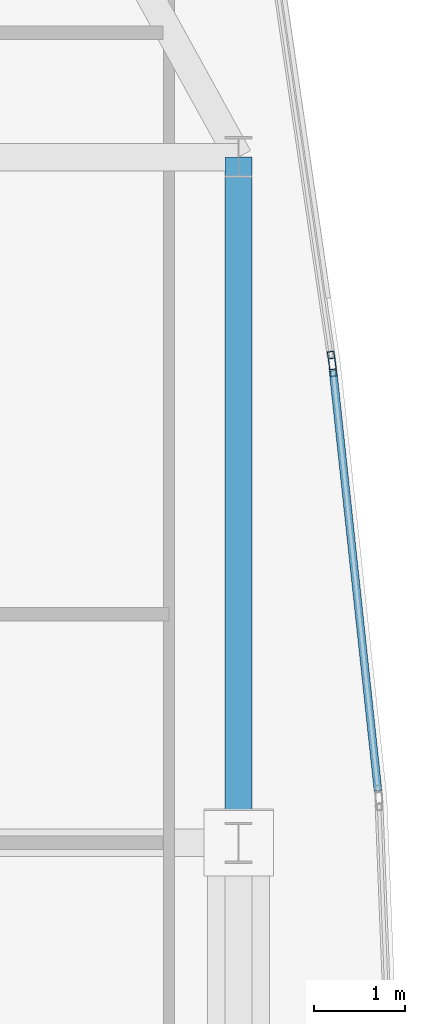
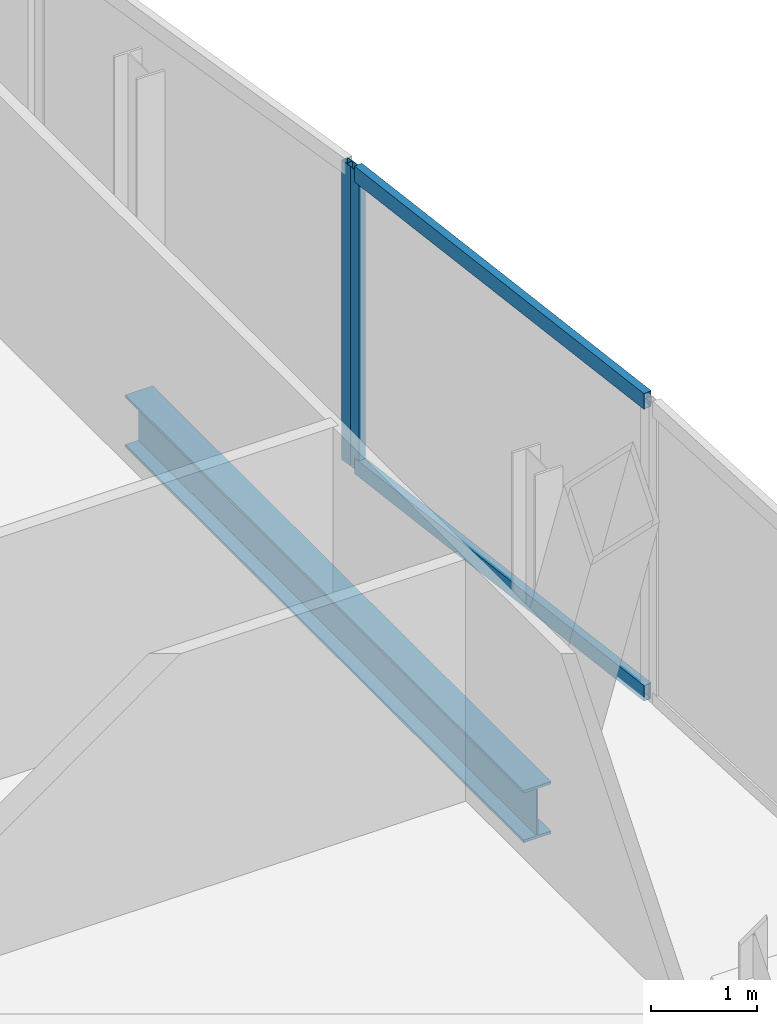
# One storey, part 20 of 31: 4 members, 1 beam, 2 elements without a shape of their own.
"""IFC4 building model written with IfcOpenShell, lengths in metres."""

from ifc_helpers import new_model, si_unit, direction, frame, origin, origin_2d, place, context, subcontext, project, spatial, hollow_rectangle, i_section, extrude, material, material_profile, profile_set, type_object, element, aggregate, save


model = new_model("IFC4")

# Units and contexts
model_context = context("Model", 3, precision=1e-05, world=origin(), true_north=direction((0.0, 1.0)))
body_context = subcontext(model_context, "Body", "Model", "MODEL_VIEW")
ifc_project = project(units=[si_unit("LENGTHUNIT", "METRE"), si_unit("AREAUNIT", "SQUARE_METRE"), si_unit("VOLUMEUNIT", "CUBIC_METRE"), si_unit("PLANEANGLEUNIT", "RADIAN"), si_unit("MASSUNIT", "GRAM", prefix="KILO")], contexts=[model_context])

# Site, building, storey
site_placement = place(None, origin())
site = spatial("IfcSite", under=ifc_project, at=site_placement, CompositionType="ELEMENT")
building_placement = place(site_placement, origin())
building = spatial("IfcBuilding", under=site, at=building_placement, Name="Khoronbel Lancet Exchange", CompositionType="ELEMENT")
storey_placement = place(building_placement, frame((0.0, 0.0, 249.800048828125)))
storey = spatial("IfcBuildingStorey", under=building, at=storey_placement, Name="L64", CompositionType="ELEMENT", Elevation=249.800048828125)

# Beam
ifc_material_1 = material(Name="Steel S355", Category="steel")
ifc_material_profile_1 = material_profile(ifc_material_1, i_section(OverallWidth=0.300048828125, OverallDepth=0.60009765625, WebThickness=0.015380859375, FlangeThickness=0.030029296875, at=origin_2d()), Name="HEB 600")
ifc_profile_set_1 = profile_set([ifc_material_profile_1], Name="Steel S355")
beam_type = type_object("IfcBeamType", Name="BM-BSP2", PredefinedType="SPANDREL", material=ifc_profile_set_1)
beam_placement = place(storey_placement, frame((63.6298828125, 35.699951171875, -0.4599609375), z_axis=(0.0, 1.0, 0.0), x_axis=(-1.0, 0.0, 0.0)))
element("IfcBeam", 1, at=beam_placement, inside=storey, type_object=beam_type, Name="Level L64 perimeter spandrel beam SP14", PredefinedType="SPANDREL", context=body_context, shape_type="SweptSolid", body=[
    extrude(i_section(OverallWidth=0.300048828125, OverallDepth=0.60009765625, WebThickness=0.015380859375, FlangeThickness=0.030029296875, at=origin_2d()), origin(), (0.0, 0.0, 1.0), 7.5),
])

# Curtain wall, member
ifc_material_2 = material(Name="Low-E Solar Control Insulating Glass", Category="glass")
curtain_wall_type = type_object("IfcCurtainWallType", Name="CW-4", PredefinedType="NOTDEFINED", material=ifc_material_2)
curtain_wall_1_placement = place(storey_placement, origin())
curtain_wall_1 = element("IfcCurtainWall", 2, at=curtain_wall_1_placement, inside=storey, type_object=curtain_wall_type, Name="Unitised curtain wall CW-L64-E17", PredefinedType="NOTDEFINED")
ifc_material_3 = material(Name="Bronze-Anodised Aluminium 6063-T6", Category="aluminium")
ifc_material_profile_2 = material_profile(ifc_material_3, hollow_rectangle(XDim=0.074951171875, YDim=0.199951171875, WallThickness=0.0048828125, at=origin_2d()), Name="ALU MULLION 75x200")
ifc_profile_set_2 = profile_set([ifc_material_profile_2], Name="Bronze-Anodised Aluminium 6063-T6")
member_type_1 = type_object("IfcMemberType", Name="MEM-CWM2", PredefinedType="MULLION", material=ifc_profile_set_2)
member_1_placement = place(storey_placement, frame((64.650146484375, 40.975830078125, 0.0), z_axis=(0.0, 0.0, 1.0), x_axis=(0.989467753264, 0.144753463694, 0.0)))
member_1 = element("IfcMember", 3, at=member_1_placement, type_object=member_type_1, Name="CW4 mullion 2", PredefinedType="MULLION", context=body_context, shape_type="SweptSolid", body=[
    extrude(hollow_rectangle(XDim=0.074951171875, YDim=0.199951171875, WallThickness=0.0048828125, at=origin_2d()), origin(), (0.0, 0.0, 1.0), 3.43994140625),
])
aggregate(curtain_wall_1, [member_1])

# Curtain wall, members
curtain_wall_2_placement = place(storey_placement, origin())
curtain_wall_2 = element("IfcCurtainWall", 4, at=curtain_wall_2_placement, inside=storey, type_object=curtain_wall_type, Name="Unitised curtain wall CW-L64-E18", PredefinedType="NOTDEFINED")
member_2_placement = place(storey_placement, frame((64.65966796875, 40.9013671875, 0.0), z_axis=(0.0, 0.0, 1.0), x_axis=(0.994311928022, 0.106507228834, 0.0)))
member_2 = element("IfcMember", 5, at=member_2_placement, type_object=member_type_1, Name="CW4 mullion 1", PredefinedType="MULLION", context=body_context, shape_type="SweptSolid", body=[
    extrude(hollow_rectangle(XDim=0.074951171875, YDim=0.199951171875, WallThickness=0.0048828125, at=origin_2d()), origin(), (0.0, 0.0, 1.0), 3.43994140625),
])
ifc_material_profile_3 = material_profile(ifc_material_3, hollow_rectangle(XDim=0.0849609375, YDim=0.179931640625, WallThickness=0.0048828125, at=origin_2d()), Name="ALU TRANSOM 85x180")
ifc_profile_set_3 = profile_set([ifc_material_profile_3], Name="Bronze-Anodised Aluminium 6063-T6")
member_type_2 = type_object("IfcMemberType", Name="MEM-CWT1", PredefinedType="USERDEFINED", material=ifc_profile_set_3)
member_3_placement = place(storey_placement, frame((64.66357421875, 40.864013671875, 0.04248046875), z_axis=(0.106534988601, -0.9943089541, 0.0), x_axis=(0.9943089541, 0.106534988601, 0.0)))
member_3 = element("IfcMember", 6, at=member_3_placement, type_object=member_type_2, Name="CW4 transom 1.1", ObjectType="TRANSOM", PredefinedType="USERDEFINED", context=body_context, shape_type="SweptSolid", body=[
    extrude(hollow_rectangle(XDim=0.0849609375, YDim=0.179931640625, WallThickness=0.0048828125, at=origin_2d()), origin(), (0.0, 0.0, 1.0), 4.622314453125),
])
member_4_placement = place(storey_placement, frame((64.66357421875, 40.864013671875, 3.3974609375), z_axis=(0.106534988601, -0.9943089541, 0.0), x_axis=(0.9943089541, 0.106534988601, 0.0)))
member_4 = element("IfcMember", 7, at=member_4_placement, type_object=member_type_2, Name="CW4 transom 1.2", ObjectType="TRANSOM", PredefinedType="USERDEFINED", context=body_context, shape_type="SweptSolid", body=[
    extrude(hollow_rectangle(XDim=0.0849609375, YDim=0.179931640625, WallThickness=0.0048828125, at=origin_2d()), origin(), (0.0, 0.0, 1.0), 4.622314453125),
])
aggregate(curtain_wall_2, [member_2, member_3, member_4])

save(model, "model.ifc")
